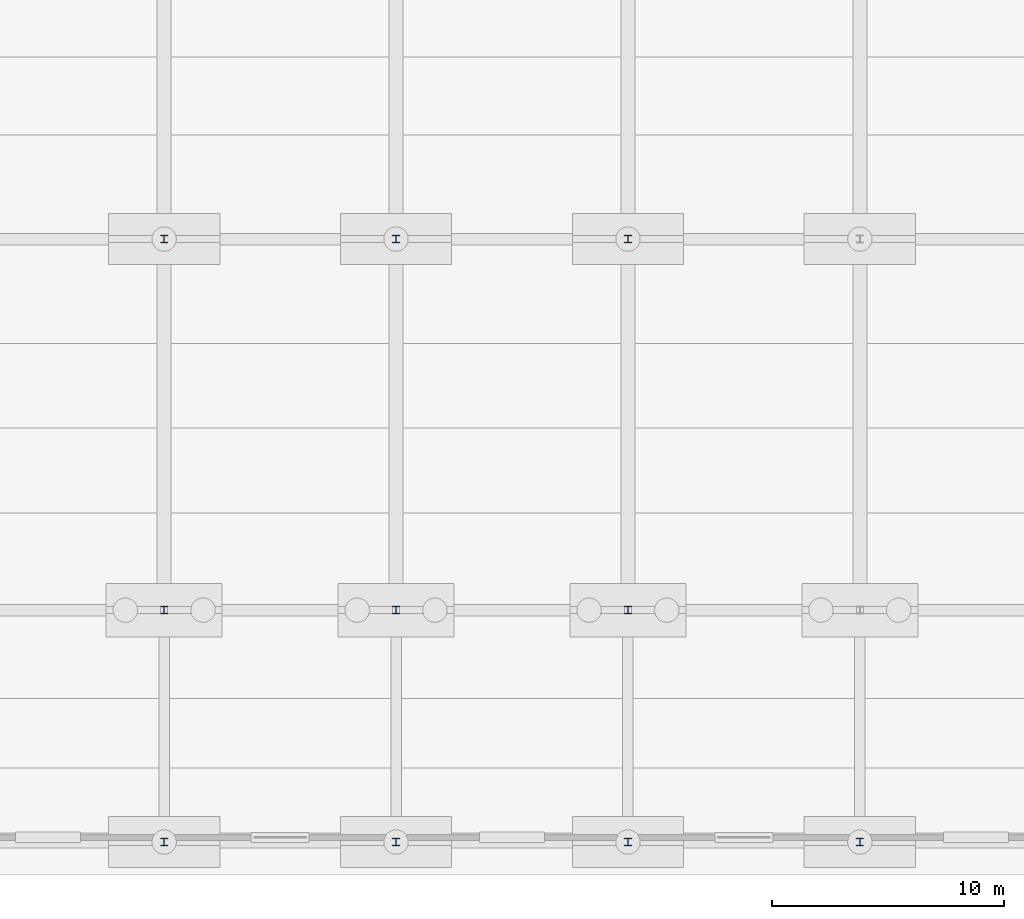
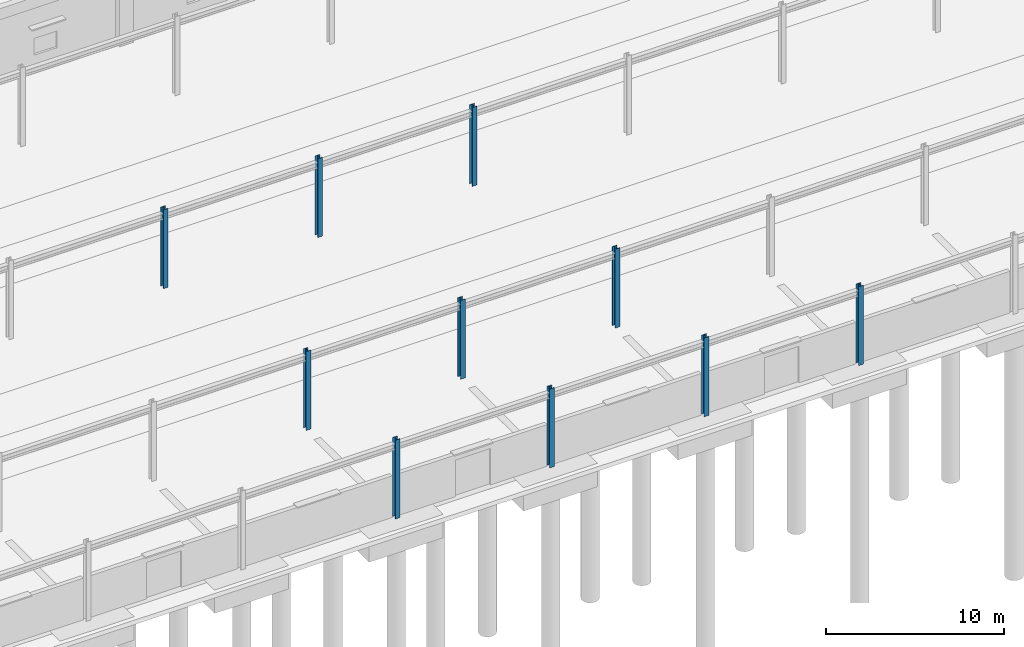
# One storey, part 22 of 99: 10 columns.
"""IFC4 building model written with IfcOpenShell, lengths in metres."""

import ifcopenshell
import ifcopenshell.guid

model = None  # the IFC model being written
_history = None  # IfcOwnerHistory: only IFC2X3 demands one
_inside = {}  # id of a spatial element -> (the spatial element, [elements in it])
_under = {}  # id of a project, library or spatial element -> (it, [spatial elements below it])
_declared = {}  # id of a project -> (the project, [libraries it declares])
_typed = {}  # id of a type object -> (the type object, [elements of that type])
_made_of = {}  # id of a material, layer set ... -> (it, [elements and type objects made of it])


def new_model(schema):
    """Start an empty IFC model of exactly this schema.

    Asked for "IFC4X3", IfcOpenShell would pick the latest addendum, in which some entities
    have other attributes; the version numbers below select the first issue.
    IFC2X3 requires an IfcOwnerHistory on every rooted entity: one is made here for all.
    """
    global model, _history
    if schema == "IFC4X3":
        model = ifcopenshell.file(schema_version=(4, 3, 0, 0))
    else:
        model = ifcopenshell.file(schema=schema)
    _inside.clear()
    _under.clear()
    _declared.clear()
    _typed.clear()
    _made_of.clear()
    _history = None
    if model.schema == "IFC2X3":
        org = make("IfcOrganization", Name="unknown")
        user = make(
            "IfcPersonAndOrganization",
            ThePerson=make("IfcPerson", FamilyName="unknown"),
            TheOrganization=org,
        )
        app = make(
            "IfcApplication",
            ApplicationDeveloper=org,
            Version="unknown",
            ApplicationFullName="unknown",
            ApplicationIdentifier="unknown",
        )
        _history = make(
            "IfcOwnerHistory",
            OwningUser=user,
            OwningApplication=app,
            ChangeAction="ADDED",
            CreationDate=0,
        )
    return model


def make(cls, **values):
    """One entity of the class cls with the attributes given. An attribute that is None is left unset."""
    return model.create_entity(
        cls, **{name: value for name, value in values.items() if value is not None}
    )


def rooted(cls, **values):
    """An entity with a GlobalId (a new one), such as an element, a storey or a relation."""
    return make(cls, GlobalId=ifcopenshell.guid.new(), OwnerHistory=_history, **values)


def si_unit(unit_type, name, prefix=None):
    """IfcSIUnit, for example si_unit("LENGTHUNIT", "METRE", prefix="MILLI")."""
    return make("IfcSIUnit", UnitType=unit_type, Prefix=prefix, Name=name)


def assignment(units):
    """IfcUnitAssignment: the units of a project."""
    return None if units is None else make("IfcUnitAssignment", Units=units)


def point(xyz):
    """IfcCartesianPoint."""
    return None if xyz is None else make("IfcCartesianPoint", Coordinates=xyz)


def direction(xyz):
    """IfcDirection."""
    return None if xyz is None else make("IfcDirection", DirectionRatios=xyz)


def frame(location, z_axis=None, x_axis=None):
    """IfcAxis2Placement3D, a coordinate frame: its origin and axes. An axis left out is left unset."""
    return make(
        "IfcAxis2Placement3D",
        Location=point(location),
        Axis=direction(z_axis),
        RefDirection=direction(x_axis),
    )


def frame_2d(location, x_axis=None):
    """IfcAxis2Placement2D, a coordinate frame in the plane: its origin and x axis."""
    return make(
        "IfcAxis2Placement2D", Location=point(location), RefDirection=direction(x_axis)
    )


def origin():
    """The frame at (0, 0, 0) with its axes left unset."""
    return frame((0.0, 0.0, 0.0))


def origin_2d():
    """The frame at (0, 0) in the plane with its x axis left unset."""
    return frame_2d((0.0, 0.0))


def place(relative_to, where):
    """IfcLocalPlacement: puts the frame where relative to a parent placement (None: the world)."""
    return make(
        "IfcLocalPlacement", PlacementRelTo=relative_to, RelativePlacement=where
    )


def context(
    kind, dimensions, precision=None, world=None, true_north=None, identifier=None
):
    """IfcGeometricRepresentationContext, for example the 3D "Model" context."""
    return make(
        "IfcGeometricRepresentationContext",
        ContextIdentifier=identifier,
        ContextType=kind,
        CoordinateSpaceDimension=dimensions,
        Precision=precision,
        WorldCoordinateSystem=world,
        TrueNorth=true_north,
    )


def subcontext(parent, identifier, kind, view, scale=None):
    """IfcGeometricRepresentationSubContext, for example "Body" below "Model"."""
    return make(
        "IfcGeometricRepresentationSubContext",
        ContextIdentifier=identifier,
        ContextType=kind,
        ParentContext=parent,
        TargetScale=scale,
        TargetView=view,
    )


def project(units=None, contexts=None):
    """IfcProject with its units and contexts."""
    return rooted(
        "IfcProject",
        Name="project",
        RepresentationContexts=contexts,
        UnitsInContext=assignment(units),
    )


def spatial(cls, under=None, at=None, **own):
    """A site, building, storey or space (cls), placed at a placement, below another one or the project."""
    s = rooted(cls, ObjectPlacement=at, **own)
    if under is not None:
        _under.setdefault(under.id(), (under, []))[1].append(s)
    return s


def profile(cls, at=None, kind="AREA", **sizes):
    """A parametric profile (cls). Its sizes go by their IFC names, for example OverallWidth=200.0."""
    return make(cls, ProfileType=kind, Position=at, **sizes)


def i_section(**sizes):
    """IfcIShapeProfileDef."""
    return profile("IfcIShapeProfileDef", **sizes)


def extrude(swept, where, along, depth):
    """IfcExtrudedAreaSolid: the profile swept, set in the frame where, extruded along a direction by depth."""
    return make(
        "IfcExtrudedAreaSolid",
        SweptArea=swept,
        Position=where,
        ExtrudedDirection=direction(along),
        Depth=depth,
    )


def shape(context_of_items, identifier, shape_type, items):
    """IfcShapeRepresentation: the items that make up one representation, for example the "Body"."""
    return make(
        "IfcShapeRepresentation",
        ContextOfItems=context_of_items,
        RepresentationIdentifier=identifier,
        RepresentationType=shape_type,
        Items=items,
    )


def material(Name=None, Category=None):
    """IfcMaterial."""
    return make("IfcMaterial", Name=Name, Category=Category)


def material_profile(
    of_material, cross_section, Name=None, Category=None, Priority=None
):
    """IfcMaterialProfile: a cross section and its material."""
    return make(
        "IfcMaterialProfile",
        Name=Name,
        Material=of_material,
        Profile=cross_section,
        Priority=Priority,
        Category=Category,
    )


def profile_set(profiles, Name=None, composite=None):
    """IfcMaterialProfileSet."""
    return make(
        "IfcMaterialProfileSet",
        Name=Name,
        MaterialProfiles=profiles,
        CompositeProfile=composite,
    )


def made_of(thing, what):
    """Note that an element or type object is made of a material, layer set ...; save() writes the relation."""
    if what is not None:
        _made_of.setdefault(what.id(), (what, []))[1].append(thing)
    return thing


def type_object(cls, material=None, **own):
    """A type object (cls), such as IfcWallType, which elements share."""
    return made_of(rooted(cls, **own), material)


def element(
    cls,
    number,
    at=None,
    inside=None,
    cuts=None,
    type_object=None,
    material=None,
    context=None,
    identifier="Body",
    shape_type=None,
    held_by="IfcProductDefinitionShape",
    body=None,
    shapes=None,
    **own,
):
    """One element of the class cls, such as IfcWall. Its Tag is "e" and its number.

    at: its placement. inside: the storey or other place that contains it. cuts: it is an
    opening in that element (IfcRelVoidsElement). A single representation is given by context,
    identifier, shape_type and body (its items); several are given by shapes. held_by: the class
    of the entity that holds the representations. save() writes the other relations.
    """
    e = rooted(cls, Tag="e%d" % number, ObjectPlacement=at, **own)
    if body is not None:
        shapes = [shape(context, identifier, shape_type, body)]
    if shapes is not None:
        e.Representation = make(held_by, Representations=shapes)
    if inside is not None:
        _inside.setdefault(inside.id(), (inside, []))[1].append(e)
    if cuts is not None:
        rooted(
            "IfcRelVoidsElement", RelatingBuildingElement=cuts, RelatedOpeningElement=e
        )
    if type_object is not None:
        _typed.setdefault(type_object.id(), (type_object, []))[1].append(e)
    return made_of(e, material)


def aggregate(whole, parts):
    """IfcRelAggregates: a whole, such as a stair, and the parts it consists of."""
    return rooted("IfcRelAggregates", RelatingObject=whole, RelatedObjects=parts)


def save(model, path):
    """Write the relations noted so far, then the file.

    IfcRelAggregates (storeys below a building ...), IfcRelContainedInSpatialStructure (elements
    in a storey), IfcRelDefinesByType, IfcRelAssociatesMaterial and IfcRelDeclares: one each for
    every whole, place, type object, material and project.
    """
    for whole, parts in _under.values():
        aggregate(whole, parts)
    for where, things in _inside.values():
        rooted(
            "IfcRelContainedInSpatialStructure",
            RelatedElements=things,
            RelatingStructure=where,
        )
    for kind, things in _typed.values():
        rooted("IfcRelDefinesByType", RelatedObjects=things, RelatingType=kind)
    for what, things in _made_of.values():
        rooted("IfcRelAssociatesMaterial", RelatedObjects=things, RelatingMaterial=what)
    for by, libraries in _declared.values():
        rooted("IfcRelDeclares", RelatingContext=by, RelatedDefinitions=libraries)
    model.write(path)


model = new_model("IFC4")

# Units and contexts
model_context = context("Model", 3, precision=1e-05, world=origin(), true_north=direction((0.0, 1.0)))
body_context = subcontext(model_context, "Body", "Model", "MODEL_VIEW")
ifc_project = project(units=[si_unit("LENGTHUNIT", "METRE"), si_unit("AREAUNIT", "SQUARE_METRE"), si_unit("VOLUMEUNIT", "CUBIC_METRE"), si_unit("PLANEANGLEUNIT", "RADIAN"), si_unit("MASSUNIT", "GRAM", prefix="KILO")], contexts=[model_context])

# Site, building, storey
site_placement = place(None, origin())
site = spatial("IfcSite", under=ifc_project, at=site_placement, CompositionType="ELEMENT")
building_placement = place(site_placement, origin())
building = spatial("IfcBuilding", under=site, at=building_placement, Name="Kivolera Central Railway Station", CompositionType="ELEMENT")
storey_placement = place(building_placement, origin())
storey = spatial("IfcBuildingStorey", under=building, at=storey_placement, Name="L00", CompositionType="ELEMENT", Elevation=0.0)

# Columns
ifc_material = material(Name="Steel S355", Category="steel")
ifc_material_profile = material_profile(ifc_material, i_section(OverallWidth=0.30908203125, OverallDepth=0.320556640625, WebThickness=0.013916015625, FlangeThickness=0.021728515625, FilletRadius=0.01513671875, at=origin_2d()), Name="UC 305x305x137")
ifc_profile_set = profile_set([ifc_material_profile], Name="Steel S355")
column_type = type_object("IfcColumnType", Name="COL-STL-UC305", PredefinedType="COLUMN", material=ifc_profile_set)
for number, where, z_axis, x_axis, name in (
    (1, (138.0, 6.0, 0.0), (0.0, 0.0, 1.0), (1.0, 0.0, 0.0), "L00 Train Shed Column 14-A"),
    (2, (138.0, 16.0, 0.0), (0.0, 0.0, 1.0), (1.0, 0.0, 0.0), "L00 Train Shed Column 14-B"),
    (3, (138.0, 32.0, 0.0), (0.0, 0.0, 1.0), (1.0, 0.0, 0.0), "L00 Train Shed Column 14-C"),
    (4, (148.0, 6.0, 0.0), (0.0, 0.0, 1.0), (1.0, 0.0, 0.0), "L00 Train Shed Column 15-A"),
    (5, (148.0, 16.0, 0.0), (0.0, 0.0, 1.0), (1.0, 0.0, 0.0), "L00 Train Shed Column 15-B"),
    (6, (148.0, 32.0, 0.0), (0.0, 0.0, 1.0), (1.0, 0.0, 0.0), "L00 Train Shed Column 15-C"),
    (7, (158.0, 6.0, 0.0), (0.0, 0.0, 1.0), (1.0, 0.0, 0.0), "L00 Train Shed Column 16-A"),
    (8, (158.0, 16.0, 0.0), (0.0, 0.0, 1.0), (1.0, 0.0, 0.0), "L00 Train Shed Column 16-B"),
    (9, (158.0, 32.0, 0.0), (0.0, 0.0, 1.0), (1.0, 0.0, 0.0), "L00 Train Shed Column 16-C"),
    (10, (168.0, 6.0, 0.0), (0.0, 0.0, 1.0), (1.0, 0.0, 0.0), "L00 Train Shed Column 17-A"),
):
    element("IfcColumn", number, at=place(storey_placement, frame(where, z_axis=z_axis, x_axis=x_axis)), inside=storey, type_object=column_type, Name=name, PredefinedType="COLUMN", context=body_context, shape_type="SweptSolid", body=[
        extrude(i_section(OverallWidth=0.30908203125, OverallDepth=0.320556640625, WebThickness=0.013916015625, FlangeThickness=0.021728515625, FilletRadius=0.01513671875, at=origin_2d()), origin(), (0.0, 0.0, 1.0), 5.39990234375),
    ])

save(model, "model.ifc")
